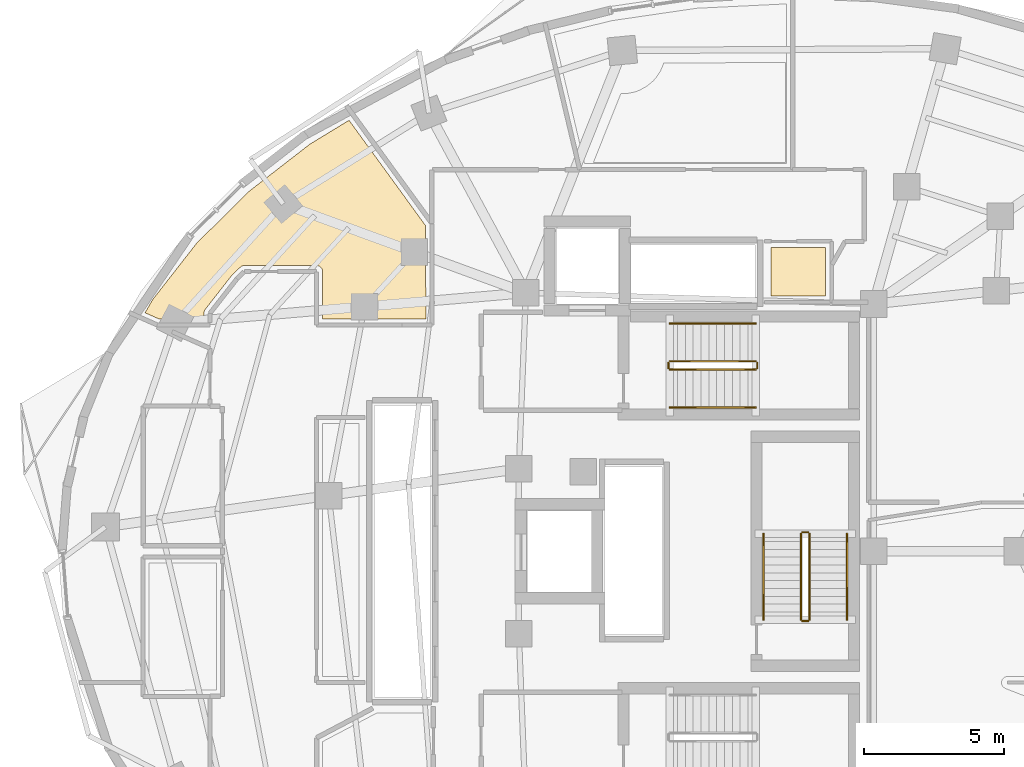
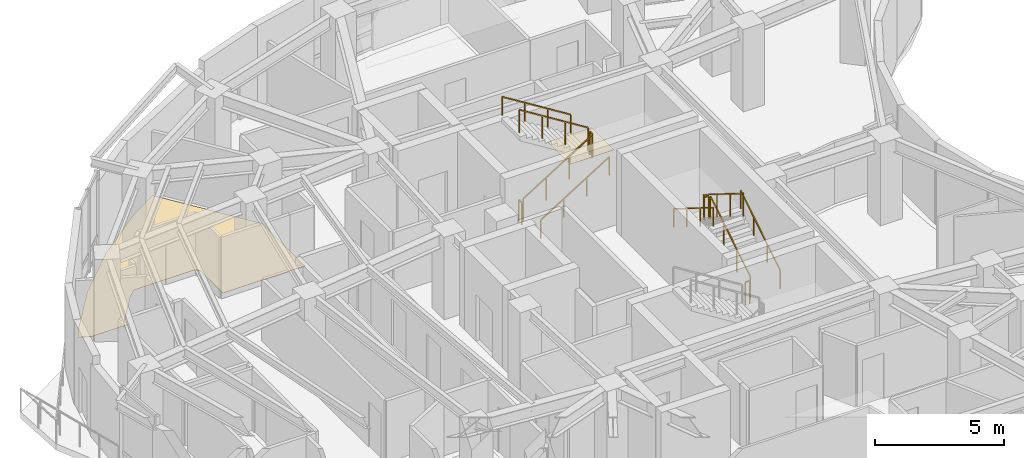
# One storey, part 12 of 13: 12 railings, 2 coverings.
"""IFC4 building model written with IfcOpenShell, lengths in metres."""

from ifc_helpers import new_model, si_unit, direction, frame, origin, origin_2d, place, context, subcontext, project, spatial, polyline, rectangle, outline, extrude, material, layer, layer_set, type_object, element, save


model = new_model("IFC4")

# Units and contexts
model_context = context("Model", 3, precision=1e-05, world=origin(), true_north=direction((0.0, 1.0)))
body_context = subcontext(model_context, "Body", "Model", "MODEL_VIEW")
ifc_project = project(units=[si_unit("LENGTHUNIT", "METRE"), si_unit("AREAUNIT", "SQUARE_METRE"), si_unit("VOLUMEUNIT", "CUBIC_METRE"), si_unit("PLANEANGLEUNIT", "RADIAN"), si_unit("MASSUNIT", "GRAM", prefix="KILO")], contexts=[model_context])

# Site, building, storey
site_placement = place(None, origin())
site = spatial("IfcSite", under=ifc_project, at=site_placement, CompositionType="ELEMENT")
building_placement = place(site_placement, origin())
building = spatial("IfcBuilding", under=site, at=building_placement, Name="Korentha Bioscience Tower", CompositionType="ELEMENT")
storey_placement = place(building_placement, frame((0.0, 0.0, 204.60009765625)))
storey = spatial("IfcBuildingStorey", under=building, at=storey_placement, Name="L47", CompositionType="ELEMENT", Elevation=204.60009765625)

# Covering
ifc_material_1 = material(Name="Vitrified Porcelain Tile", Category="ceramic")
ifc_layer_1 = layer(ifc_material_1, 0.014892578125, Name="Vitrified Porcelain Tile")
ifc_layer_set_1 = layer_set([ifc_layer_1], Name="Vitrified Porcelain Tile (FL-CER)")
covering_type_1 = type_object("IfcCoveringType", Name="Anti-Slip Ceramic Wet-Room Tile Flooring 15", PredefinedType="FLOORING", material=ifc_layer_set_1)
covering_1_placement = place(storey_placement, origin())
element("IfcCovering", 1, at=covering_1_placement, inside=storey, type_object=covering_type_1, Name="L47 Accessible Staff WC Floor Finish", PredefinedType="FLOORING", context=body_context, shape_type="SweptSolid", body=[
    extrude(outline(polyline([(33.8701171875, 36.1298828125), (33.8701171875, 37.8701171875), (35.830078125, 37.8701171875), (35.830078125, 36.1298828125), (33.8701171875, 36.1298828125)])), origin(), (0.0, 0.0, 1.0), 0.014892578125),
])

# Railings
ifc_material_2 = material(Name="Stainless Steel 304", Category="steel")
railing_type_1 = type_object("IfcRailingType", Name="Brushed Stainless Stair Handrail 900", PredefinedType="HANDRAIL", material=ifc_material_2)
railing_1_placement = place(storey_placement, frame((30.25, 32.14990234375, 0.1748046875)))
element("IfcRailing", 2, at=railing_1_placement, inside=storey, type_object=railing_type_1, Name="L47 ST-1 stair handrail 1", PredefinedType="HANDRAIL", context=body_context, shape_type="SweptSolid", body=[
    extrude(rectangle(XDim=0.048095703125, YDim=0.048095703125, at=origin_2d()), frame((0.0, 0.0, 0.8759765625), z_axis=(0.847998304005, 0.0, 0.529998940003), x_axis=(0.0, 1.0, 0.0)), (0.0, 0.0, 1.0), 3.632080078125),
    extrude(rectangle(XDim=0.0419921875, YDim=0.0419921875, at=origin_2d()), origin(), (0.0, 0.0, 1.0), 0.851806640625),
    extrude(rectangle(XDim=0.0419921875, YDim=0.0419921875, at=origin_2d()), frame((1.026611328125, 0.0, 0.6416015625)), (0.0, 0.0, 1.0), 0.851806640625),
    extrude(rectangle(XDim=0.0419921875, YDim=0.0419921875, at=origin_2d()), frame((2.053466796875, 0.0, 1.283447265625)), (0.0, 0.0, 1.0), 0.851806640625),
    extrude(rectangle(XDim=0.0419921875, YDim=0.0419921875, at=origin_2d()), frame((3.080078125, 0.0, 1.925048828125)), (0.0, 0.0, 1.0), 0.851806640625),
])
railing_2_placement = place(storey_placement, frame((33.330078125, 35.14990234375, 2.27490234375)))
element("IfcRailing", 3, at=railing_2_placement, inside=storey, type_object=railing_type_1, Name="L47 ST-1 stair handrail 2", PredefinedType="HANDRAIL", context=body_context, shape_type="SweptSolid", body=[
    extrude(rectangle(XDim=0.048095703125, YDim=0.048095703125, at=origin_2d()), frame((0.0, 0.0, 0.8759765625), z_axis=(-0.847998304005, 0.0, 0.529998940003), x_axis=(0.0, -1.0, 0.0)), (0.0, 0.0, 1.0), 3.632080078125),
    extrude(rectangle(XDim=0.0419921875, YDim=0.0419921875, at=origin_2d()), origin(), (0.0, 0.0, 1.0), 0.851806640625),
    extrude(rectangle(XDim=0.0419921875, YDim=0.0419921875, at=origin_2d()), frame((-1.026611328125, 0.0, 0.6416015625)), (0.0, 0.0, 1.0), 0.851806640625),
    extrude(rectangle(XDim=0.0419921875, YDim=0.0419921875, at=origin_2d()), frame((-2.053466796875, 0.0, 1.283447265625)), (0.0, 0.0, 1.0), 0.851806640625),
    extrude(rectangle(XDim=0.0419921875, YDim=0.0419921875, at=origin_2d()), frame((-3.080078125, 0.0, 1.925048828125)), (0.0, 0.0, 1.0), 0.851806640625),
])
railing_3_placement = place(storey_placement, frame((36.60009765625, 24.550048828125, 0.1748046875)))
element("IfcRailing", 4, at=railing_3_placement, inside=storey, type_object=railing_type_1, Name="L47 ST-3 stair handrail 1", PredefinedType="HANDRAIL", context=body_context, shape_type="SweptSolid", body=[
    extrude(rectangle(XDim=0.048095703125, YDim=0.048095703125, at=origin_2d()), frame((0.0, 0.0, 0.8759765625), z_axis=(0.0, 0.847979421464, 0.530029150871), x_axis=(-1.0, 0.0, 0.0)), (0.0, 0.0, 1.0), 3.632080078125),
    extrude(rectangle(XDim=0.0419921875, YDim=0.0419921875, at=origin_2d()), origin(), (0.0, 0.0, 1.0), 0.851806640625),
    extrude(rectangle(XDim=0.0419921875, YDim=0.0419921875, at=origin_2d()), frame((0.0, 1.026611328125, 0.6416015625)), (0.0, 0.0, 1.0), 0.851806640625),
    extrude(rectangle(XDim=0.0419921875, YDim=0.0419921875, at=origin_2d()), frame((0.0, 2.05322265625, 1.283447265625)), (0.0, 0.0, 1.0), 0.851806640625),
    extrude(rectangle(XDim=0.0419921875, YDim=0.0419921875, at=origin_2d()), frame((0.0, 3.079833984375, 1.925048828125)), (0.0, 0.0, 1.0), 0.851806640625),
])
railing_4_placement = place(storey_placement, frame((33.60009765625, 27.6298828125, 2.27490234375)))
element("IfcRailing", 5, at=railing_4_placement, inside=storey, type_object=railing_type_1, Name="L47 ST-3 stair handrail 2", PredefinedType="HANDRAIL", context=body_context, shape_type="SweptSolid", body=[
    extrude(rectangle(XDim=0.048095703125, YDim=0.048095703125, at=origin_2d()), frame((0.0, 0.0, 0.8759765625), z_axis=(0.0, -0.847979421464, 0.530029150871), x_axis=(1.0, 0.0, 0.0)), (0.0, 0.0, 1.0), 3.632080078125),
    extrude(rectangle(XDim=0.0419921875, YDim=0.0419921875, at=origin_2d()), origin(), (0.0, 0.0, 1.0), 0.851806640625),
    extrude(rectangle(XDim=0.0419921875, YDim=0.0419921875, at=origin_2d()), frame((0.0, -1.026611328125, 0.6416015625)), (0.0, 0.0, 1.0), 0.851806640625),
    extrude(rectangle(XDim=0.0419921875, YDim=0.0419921875, at=origin_2d()), frame((0.0, -2.05322265625, 1.283447265625)), (0.0, 0.0, 1.0), 0.851806640625),
    extrude(rectangle(XDim=0.0419921875, YDim=0.0419921875, at=origin_2d()), frame((0.0, -3.079833984375, 1.925048828125)), (0.0, 0.0, 1.0), 0.851806640625),
])
ifc_material_3 = material(Name="Painted Steel S275", Category="steel")
railing_type_2 = type_object("IfcRailingType", Name="Painted Steel Stair Well Guardrail 1100", PredefinedType="GUARDRAIL", material=ifc_material_3)
railing_5_placement = place(storey_placement, frame((30.25, 33.5, 0.1748046875)))
element("IfcRailing", 6, at=railing_5_placement, inside=storey, type_object=railing_type_2, Name="L47 ST-1 stair guard 1", PredefinedType="GUARDRAIL", context=body_context, shape_type="SweptSolid", body=[
    extrude(rectangle(XDim=0.048095703125, YDim=0.048095703125, at=origin_2d()), frame((0.0, 0.0, 1.076171875), z_axis=(0.847998304005, 0.0, 0.529998940003), x_axis=(0.0, 1.0, 0.0)), (0.0, 0.0, 1.0), 3.632080078125),
    extrude(rectangle(XDim=0.0419921875, YDim=0.0419921875, at=origin_2d()), origin(), (0.0, 0.0, 1.0), 1.052001953125),
    extrude(rectangle(XDim=0.0419921875, YDim=0.0419921875, at=origin_2d()), frame((1.026611328125, 0.0, 0.6416015625)), (0.0, 0.0, 1.0), 1.052001953125),
    extrude(rectangle(XDim=0.0419921875, YDim=0.0419921875, at=origin_2d()), frame((2.053466796875, 0.0, 1.283447265625)), (0.0, 0.0, 1.0), 1.052001953125),
    extrude(rectangle(XDim=0.0419921875, YDim=0.0419921875, at=origin_2d()), frame((3.080078125, 0.0, 1.925048828125)), (0.0, 0.0, 1.0), 1.052001953125),
])
railing_6_placement = place(storey_placement, frame((33.3798828125, 33.550048828125, 2.099853515625)))
element("IfcRailing", 7, at=railing_6_placement, inside=storey, type_object=railing_type_2, Name="L47 ST-1 stair guard 2", PredefinedType="GUARDRAIL", context=body_context, shape_type="SweptSolid", body=[
    extrude(rectangle(XDim=0.048095703125, YDim=0.048095703125, at=origin_2d()), frame((0.0, 0.0, 1.076171875), z_axis=(0.0, 1.0, 0.0), x_axis=(-1.0, 0.0, 0.0)), (0.0, 0.0, 1.0), 0.199951171875),
    extrude(rectangle(XDim=0.0419921875, YDim=0.0419921875, at=origin_2d()), origin(), (0.0, 0.0, 1.0), 1.052001953125),
    extrude(rectangle(XDim=0.0419921875, YDim=0.0419921875, at=origin_2d()), frame((0.0, 0.199951171875, 0.0)), (0.0, 0.0, 1.0), 1.052001953125),
])
railing_7_placement = place(storey_placement, frame((33.330078125, 33.800048828125, 2.27490234375)))
element("IfcRailing", 8, at=railing_7_placement, inside=storey, type_object=railing_type_2, Name="L47 ST-1 stair guard 3", PredefinedType="GUARDRAIL", context=body_context, shape_type="SweptSolid", body=[
    extrude(rectangle(XDim=0.048095703125, YDim=0.048095703125, at=origin_2d()), frame((0.0, 0.0, 1.076171875), z_axis=(-0.847998304005, 0.0, 0.529998940003), x_axis=(0.0, -1.0, 0.0)), (0.0, 0.0, 1.0), 3.632080078125),
    extrude(rectangle(XDim=0.0419921875, YDim=0.0419921875, at=origin_2d()), origin(), (0.0, 0.0, 1.0), 1.052001953125),
    extrude(rectangle(XDim=0.0419921875, YDim=0.0419921875, at=origin_2d()), frame((-1.026611328125, 0.0, 0.6416015625)), (0.0, 0.0, 1.0), 1.052001953125),
    extrude(rectangle(XDim=0.0419921875, YDim=0.0419921875, at=origin_2d()), frame((-2.053466796875, 0.0, 1.283447265625)), (0.0, 0.0, 1.0), 1.052001953125),
    extrude(rectangle(XDim=0.0419921875, YDim=0.0419921875, at=origin_2d()), frame((-3.080078125, 0.0, 1.925048828125)), (0.0, 0.0, 1.0), 1.052001953125),
])
railing_8_placement = place(storey_placement, frame((30.199951171875, 33.550048828125, 0.0)))
element("IfcRailing", 9, at=railing_8_placement, inside=storey, type_object=railing_type_2, Name="L47 ST-1 stair guard 4", PredefinedType="GUARDRAIL", context=body_context, shape_type="SweptSolid", body=[
    extrude(rectangle(XDim=0.048095703125, YDim=0.048095703125, at=origin_2d()), frame((0.0, 0.0, 1.076171875), z_axis=(0.0, 1.0, 0.0), x_axis=(-1.0, 0.0, 0.0)), (0.0, 0.0, 1.0), 0.199951171875),
    extrude(rectangle(XDim=0.0419921875, YDim=0.0419921875, at=origin_2d()), origin(), (0.0, 0.0, 1.0), 1.052001953125),
    extrude(rectangle(XDim=0.0419921875, YDim=0.0419921875, at=origin_2d()), frame((0.0, 0.199951171875, 0.0)), (0.0, 0.0, 1.0), 1.052001953125),
])
railing_9_placement = place(storey_placement, frame((35.25, 24.550048828125, 0.1748046875)))
element("IfcRailing", 10, at=railing_9_placement, inside=storey, type_object=railing_type_2, Name="L47 ST-3 stair guard 1", PredefinedType="GUARDRAIL", context=body_context, shape_type="SweptSolid", body=[
    extrude(rectangle(XDim=0.048095703125, YDim=0.048095703125, at=origin_2d()), frame((0.0, 0.0, 1.076171875), z_axis=(0.0, 0.847979421464, 0.530029150871), x_axis=(-1.0, 0.0, 0.0)), (0.0, 0.0, 1.0), 3.632080078125),
    extrude(rectangle(XDim=0.0419921875, YDim=0.0419921875, at=origin_2d()), origin(), (0.0, 0.0, 1.0), 1.052001953125),
    extrude(rectangle(XDim=0.0419921875, YDim=0.0419921875, at=origin_2d()), frame((0.0, 1.026611328125, 0.6416015625)), (0.0, 0.0, 1.0), 1.052001953125),
    extrude(rectangle(XDim=0.0419921875, YDim=0.0419921875, at=origin_2d()), frame((0.0, 2.05322265625, 1.283447265625)), (0.0, 0.0, 1.0), 1.052001953125),
    extrude(rectangle(XDim=0.0419921875, YDim=0.0419921875, at=origin_2d()), frame((0.0, 3.079833984375, 1.925048828125)), (0.0, 0.0, 1.0), 1.052001953125),
])
railing_10_placement = place(storey_placement, frame((35.199951171875, 27.679931640625, 2.099853515625)))
element("IfcRailing", 11, at=railing_10_placement, inside=storey, type_object=railing_type_2, Name="L47 ST-3 stair guard 2", PredefinedType="GUARDRAIL", context=body_context, shape_type="SweptSolid", body=[
    extrude(rectangle(XDim=0.048095703125, YDim=0.048095703125, at=origin_2d()), frame((0.0, 0.0, 1.076171875), z_axis=(-1.0, 0.0, 0.0), x_axis=(0.0, -1.0, 0.0)), (0.0, 0.0, 1.0), 0.199951171875),
    extrude(rectangle(XDim=0.0419921875, YDim=0.0419921875, at=origin_2d()), origin(), (0.0, 0.0, 1.0), 1.052001953125),
    extrude(rectangle(XDim=0.0419921875, YDim=0.0419921875, at=origin_2d()), frame((-0.199951171875, 0.0, 0.0)), (0.0, 0.0, 1.0), 1.052001953125),
])
railing_11_placement = place(storey_placement, frame((34.949951171875, 27.6298828125, 2.27490234375)))
element("IfcRailing", 12, at=railing_11_placement, inside=storey, type_object=railing_type_2, Name="L47 ST-3 stair guard 3", PredefinedType="GUARDRAIL", context=body_context, shape_type="SweptSolid", body=[
    extrude(rectangle(XDim=0.048095703125, YDim=0.048095703125, at=origin_2d()), frame((0.0, 0.0, 1.076171875), z_axis=(0.0, -0.847979421464, 0.530029150871), x_axis=(1.0, 0.0, 0.0)), (0.0, 0.0, 1.0), 3.632080078125),
    extrude(rectangle(XDim=0.0419921875, YDim=0.0419921875, at=origin_2d()), origin(), (0.0, 0.0, 1.0), 1.052001953125),
    extrude(rectangle(XDim=0.0419921875, YDim=0.0419921875, at=origin_2d()), frame((0.0, -1.026611328125, 0.6416015625)), (0.0, 0.0, 1.0), 1.052001953125),
    extrude(rectangle(XDim=0.0419921875, YDim=0.0419921875, at=origin_2d()), frame((0.0, -2.05322265625, 1.283447265625)), (0.0, 0.0, 1.0), 1.052001953125),
    extrude(rectangle(XDim=0.0419921875, YDim=0.0419921875, at=origin_2d()), frame((0.0, -3.079833984375, 1.925048828125)), (0.0, 0.0, 1.0), 1.052001953125),
])
railing_12_placement = place(storey_placement, frame((35.199951171875, 24.5, 0.0)))
element("IfcRailing", 13, at=railing_12_placement, inside=storey, type_object=railing_type_2, Name="L47 ST-3 stair guard 4", PredefinedType="GUARDRAIL", context=body_context, shape_type="SweptSolid", body=[
    extrude(rectangle(XDim=0.048095703125, YDim=0.048095703125, at=origin_2d()), frame((0.0, 0.0, 1.076171875), z_axis=(-1.0, 0.0, 0.0), x_axis=(0.0, -1.0, 0.0)), (0.0, 0.0, 1.0), 0.199951171875),
    extrude(rectangle(XDim=0.0419921875, YDim=0.0419921875, at=origin_2d()), origin(), (0.0, 0.0, 1.0), 1.052001953125),
    extrude(rectangle(XDim=0.0419921875, YDim=0.0419921875, at=origin_2d()), frame((-0.199951171875, 0.0, 0.0)), (0.0, 0.0, 1.0), 1.052001953125),
])

# Covering
ifc_material_4 = material(Name="Chemical-Resistant Epoxy Resin", Category="polymer")
ifc_layer_2 = layer(ifc_material_4, 0.011962890625, Name="Chemical-Resistant Epoxy Resin")
ifc_layer_set_2 = layer_set([ifc_layer_2], Name="Chemical-Resistant Epoxy Resin (FL-EPX)")
covering_type_2 = type_object("IfcCoveringType", Name="Seamless Epoxy Laboratory Flooring 12", PredefinedType="FLOORING", material=ifc_layer_set_2)
covering_2_placement = place(storey_placement, origin())
element("IfcCovering", 14, at=covering_2_placement, inside=storey, type_object=covering_type_2, Name="L47 Automated High-Throughput Assay Lab 11 Floor Finish", PredefinedType="FLOORING", context=body_context, shape_type="SweptSolid", body=[
    extrude(outline(polyline([(11.747314453125, 36.01513671875), (13.323486328125, 38.032958984375), (15.20751953125, 39.8955078125), (17.37255859375, 41.57373046875), (18.7724609375, 42.425048828125), (21.51220703125, 38.654296875), (21.51953125, 35.322021484375), (17.830078125, 35.322021484375), (17.82763671875, 37.033203125), (17.8076171875, 37.098876953125), (17.7548828125, 37.170166015625), (17.697998046875, 37.2080078125), (17.61181640625, 37.229736328125), (15.023681640625, 37.22998046875), (14.925537109375, 37.2080078125), (14.59619140625, 36.89990234375), (13.612548828125, 35.64111328125), (13.572265625, 35.5400390625), (13.570068359375, 35.322021484375), (11.950927734375, 35.322021484375), (11.468017578125, 35.53515625), (11.747314453125, 36.01513671875)])), origin(), (0.0, 0.0, 1.0), 0.011962890625),
])

save(model, "model.ifc")
